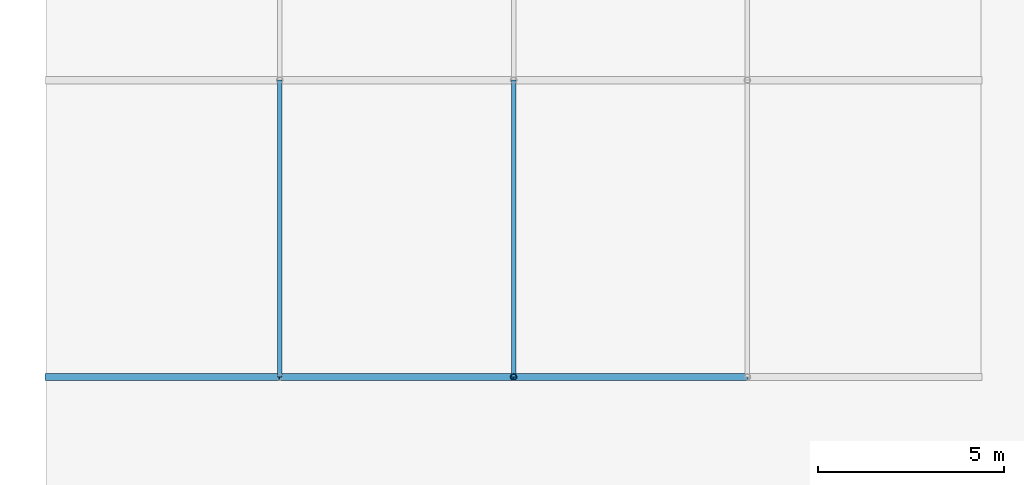
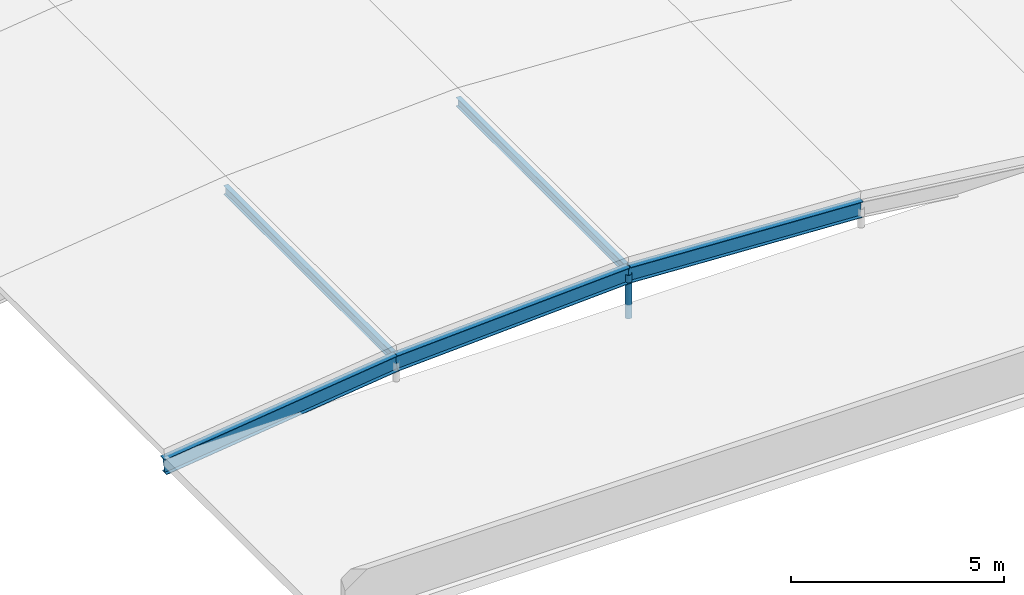
# One storey, part 24 of 76: 6 members.
"""IFC4 building model written with IfcOpenShell, lengths in metres."""

import ifcopenshell
import ifcopenshell.guid

model = None  # the IFC model being written
_history = None  # IfcOwnerHistory: only IFC2X3 demands one
_inside = {}  # id of a spatial element -> (the spatial element, [elements in it])
_under = {}  # id of a project, library or spatial element -> (it, [spatial elements below it])
_declared = {}  # id of a project -> (the project, [libraries it declares])
_typed = {}  # id of a type object -> (the type object, [elements of that type])
_made_of = {}  # id of a material, layer set ... -> (it, [elements and type objects made of it])


def new_model(schema):
    """Start an empty IFC model of exactly this schema.

    Asked for "IFC4X3", IfcOpenShell would pick the latest addendum, in which some entities
    have other attributes; the version numbers below select the first issue.
    IFC2X3 requires an IfcOwnerHistory on every rooted entity: one is made here for all.
    """
    global model, _history
    if schema == "IFC4X3":
        model = ifcopenshell.file(schema_version=(4, 3, 0, 0))
    else:
        model = ifcopenshell.file(schema=schema)
    _inside.clear()
    _under.clear()
    _declared.clear()
    _typed.clear()
    _made_of.clear()
    _history = None
    if model.schema == "IFC2X3":
        org = make("IfcOrganization", Name="unknown")
        user = make(
            "IfcPersonAndOrganization",
            ThePerson=make("IfcPerson", FamilyName="unknown"),
            TheOrganization=org,
        )
        app = make(
            "IfcApplication",
            ApplicationDeveloper=org,
            Version="unknown",
            ApplicationFullName="unknown",
            ApplicationIdentifier="unknown",
        )
        _history = make(
            "IfcOwnerHistory",
            OwningUser=user,
            OwningApplication=app,
            ChangeAction="ADDED",
            CreationDate=0,
        )
    return model


def make(cls, **values):
    """One entity of the class cls with the attributes given. An attribute that is None is left unset."""
    return model.create_entity(
        cls, **{name: value for name, value in values.items() if value is not None}
    )


def rooted(cls, **values):
    """An entity with a GlobalId (a new one), such as an element, a storey or a relation."""
    return make(cls, GlobalId=ifcopenshell.guid.new(), OwnerHistory=_history, **values)


def si_unit(unit_type, name, prefix=None):
    """IfcSIUnit, for example si_unit("LENGTHUNIT", "METRE", prefix="MILLI")."""
    return make("IfcSIUnit", UnitType=unit_type, Prefix=prefix, Name=name)


def assignment(units):
    """IfcUnitAssignment: the units of a project."""
    return None if units is None else make("IfcUnitAssignment", Units=units)


def point(xyz):
    """IfcCartesianPoint."""
    return None if xyz is None else make("IfcCartesianPoint", Coordinates=xyz)


def direction(xyz):
    """IfcDirection."""
    return None if xyz is None else make("IfcDirection", DirectionRatios=xyz)


def frame(location, z_axis=None, x_axis=None):
    """IfcAxis2Placement3D, a coordinate frame: its origin and axes. An axis left out is left unset."""
    return make(
        "IfcAxis2Placement3D",
        Location=point(location),
        Axis=direction(z_axis),
        RefDirection=direction(x_axis),
    )


def frame_2d(location, x_axis=None):
    """IfcAxis2Placement2D, a coordinate frame in the plane: its origin and x axis."""
    return make(
        "IfcAxis2Placement2D", Location=point(location), RefDirection=direction(x_axis)
    )


def origin():
    """The frame at (0, 0, 0) with its axes left unset."""
    return frame((0.0, 0.0, 0.0))


def origin_2d():
    """The frame at (0, 0) in the plane with its x axis left unset."""
    return frame_2d((0.0, 0.0))


def place(relative_to, where):
    """IfcLocalPlacement: puts the frame where relative to a parent placement (None: the world)."""
    return make(
        "IfcLocalPlacement", PlacementRelTo=relative_to, RelativePlacement=where
    )


def context(
    kind, dimensions, precision=None, world=None, true_north=None, identifier=None
):
    """IfcGeometricRepresentationContext, for example the 3D "Model" context."""
    return make(
        "IfcGeometricRepresentationContext",
        ContextIdentifier=identifier,
        ContextType=kind,
        CoordinateSpaceDimension=dimensions,
        Precision=precision,
        WorldCoordinateSystem=world,
        TrueNorth=true_north,
    )


def subcontext(parent, identifier, kind, view, scale=None):
    """IfcGeometricRepresentationSubContext, for example "Body" below "Model"."""
    return make(
        "IfcGeometricRepresentationSubContext",
        ContextIdentifier=identifier,
        ContextType=kind,
        ParentContext=parent,
        TargetScale=scale,
        TargetView=view,
    )


def project(units=None, contexts=None):
    """IfcProject with its units and contexts."""
    return rooted(
        "IfcProject",
        Name="project",
        RepresentationContexts=contexts,
        UnitsInContext=assignment(units),
    )


def spatial(cls, under=None, at=None, **own):
    """A site, building, storey or space (cls), placed at a placement, below another one or the project."""
    s = rooted(cls, ObjectPlacement=at, **own)
    if under is not None:
        _under.setdefault(under.id(), (under, []))[1].append(s)
    return s


def profile(cls, at=None, kind="AREA", **sizes):
    """A parametric profile (cls). Its sizes go by their IFC names, for example OverallWidth=200.0."""
    return make(cls, ProfileType=kind, Position=at, **sizes)


def hollow_circle(**sizes):
    """IfcCircleHollowProfileDef."""
    return profile("IfcCircleHollowProfileDef", **sizes)


def i_section(**sizes):
    """IfcIShapeProfileDef."""
    return profile("IfcIShapeProfileDef", **sizes)


def extrude(swept, where, along, depth):
    """IfcExtrudedAreaSolid: the profile swept, set in the frame where, extruded along a direction by depth."""
    return make(
        "IfcExtrudedAreaSolid",
        SweptArea=swept,
        Position=where,
        ExtrudedDirection=direction(along),
        Depth=depth,
    )


def shape(context_of_items, identifier, shape_type, items):
    """IfcShapeRepresentation: the items that make up one representation, for example the "Body"."""
    return make(
        "IfcShapeRepresentation",
        ContextOfItems=context_of_items,
        RepresentationIdentifier=identifier,
        RepresentationType=shape_type,
        Items=items,
    )


def material(Name=None, Category=None):
    """IfcMaterial."""
    return make("IfcMaterial", Name=Name, Category=Category)


def material_profile(
    of_material, cross_section, Name=None, Category=None, Priority=None
):
    """IfcMaterialProfile: a cross section and its material."""
    return make(
        "IfcMaterialProfile",
        Name=Name,
        Material=of_material,
        Profile=cross_section,
        Priority=Priority,
        Category=Category,
    )


def profile_set(profiles, Name=None, composite=None):
    """IfcMaterialProfileSet."""
    return make(
        "IfcMaterialProfileSet",
        Name=Name,
        MaterialProfiles=profiles,
        CompositeProfile=composite,
    )


def made_of(thing, what):
    """Note that an element or type object is made of a material, layer set ...; save() writes the relation."""
    if what is not None:
        _made_of.setdefault(what.id(), (what, []))[1].append(thing)
    return thing


def type_object(cls, material=None, **own):
    """A type object (cls), such as IfcWallType, which elements share."""
    return made_of(rooted(cls, **own), material)


def element(
    cls,
    number,
    at=None,
    inside=None,
    cuts=None,
    type_object=None,
    material=None,
    context=None,
    identifier="Body",
    shape_type=None,
    held_by="IfcProductDefinitionShape",
    body=None,
    shapes=None,
    **own,
):
    """One element of the class cls, such as IfcWall. Its Tag is "e" and its number.

    at: its placement. inside: the storey or other place that contains it. cuts: it is an
    opening in that element (IfcRelVoidsElement). A single representation is given by context,
    identifier, shape_type and body (its items); several are given by shapes. held_by: the class
    of the entity that holds the representations. save() writes the other relations.
    """
    e = rooted(cls, Tag="e%d" % number, ObjectPlacement=at, **own)
    if body is not None:
        shapes = [shape(context, identifier, shape_type, body)]
    if shapes is not None:
        e.Representation = make(held_by, Representations=shapes)
    if inside is not None:
        _inside.setdefault(inside.id(), (inside, []))[1].append(e)
    if cuts is not None:
        rooted(
            "IfcRelVoidsElement", RelatingBuildingElement=cuts, RelatedOpeningElement=e
        )
    if type_object is not None:
        _typed.setdefault(type_object.id(), (type_object, []))[1].append(e)
    return made_of(e, material)


def aggregate(whole, parts):
    """IfcRelAggregates: a whole, such as a stair, and the parts it consists of."""
    return rooted("IfcRelAggregates", RelatingObject=whole, RelatedObjects=parts)


def save(model, path):
    """Write the relations noted so far, then the file.

    IfcRelAggregates (storeys below a building ...), IfcRelContainedInSpatialStructure (elements
    in a storey), IfcRelDefinesByType, IfcRelAssociatesMaterial and IfcRelDeclares: one each for
    every whole, place, type object, material and project.
    """
    for whole, parts in _under.values():
        aggregate(whole, parts)
    for where, things in _inside.values():
        rooted(
            "IfcRelContainedInSpatialStructure",
            RelatedElements=things,
            RelatingStructure=where,
        )
    for kind, things in _typed.values():
        rooted("IfcRelDefinesByType", RelatedObjects=things, RelatingType=kind)
    for what, things in _made_of.values():
        rooted("IfcRelAssociatesMaterial", RelatedObjects=things, RelatingMaterial=what)
    for by, libraries in _declared.values():
        rooted("IfcRelDeclares", RelatingContext=by, RelatedDefinitions=libraries)
    model.write(path)


model = new_model("IFC4")

# Units and contexts
model_context = context("Model", 3, precision=1e-05, world=origin(), true_north=direction((0.0, 1.0)))
body_context = subcontext(model_context, "Body", "Model", "MODEL_VIEW")
ifc_project = project(units=[si_unit("LENGTHUNIT", "METRE"), si_unit("AREAUNIT", "SQUARE_METRE"), si_unit("VOLUMEUNIT", "CUBIC_METRE"), si_unit("PLANEANGLEUNIT", "RADIAN"), si_unit("MASSUNIT", "GRAM", prefix="KILO")], contexts=[model_context])

# Site, building, storey
site_placement = place(None, origin())
site = spatial("IfcSite", under=ifc_project, at=site_placement, CompositionType="ELEMENT")
building_placement = place(site_placement, origin())
building = spatial("IfcBuilding", under=site, at=building_placement, Name="Naruveol Harbour Congress Hotel", CompositionType="ELEMENT")
storey_placement = place(building_placement, frame((0.0, 0.0, 11.39990234375)))
storey = spatial("IfcBuildingStorey", under=building, at=storey_placement, Name="L02", CompositionType="ELEMENT", Elevation=11.39990234375)

# Members
ifc_material_1 = material(Name="Steel SN490", Category="steel")
ifc_material_profile_1 = material_profile(ifc_material_1, i_section(OverallWidth=0.199951171875, OverallDepth=0.449951171875, WebThickness=0.009033203125, FlangeThickness=0.013916015625, at=origin_2d()), Name="H-450x200x9x14")
ifc_profile_set_1 = profile_set([ifc_material_profile_1], Name="Steel SN490")
member_type_1 = type_object("IfcMemberType", Name="STEEL BUTTERFLY CROWN RAFTER H450", PredefinedType="RAFTER", material=ifc_profile_set_1)
member_1_placement = place(storey_placement, frame((0.0, 72.0, -0.239990234375), z_axis=(0.992613260551, 0.0, 0.121321535508), x_axis=(0.0, 1.0, 0.0)))
element("IfcMember", 1, at=member_1_placement, inside=storey, type_object=member_type_1, Name="Spa vault arch rib #1.1", PredefinedType="RAFTER", context=body_context, shape_type="SweptSolid", body=[
    extrude(i_section(OverallWidth=0.199951171875, OverallDepth=0.449951171875, WebThickness=0.009033203125, FlangeThickness=0.013916015625, at=origin_2d()), origin(), (0.0, 0.0, 1.0), 6.346923828125),
])
member_2_placement = place(storey_placement, frame((6.300048828125, 72.0, 0.530029296875), z_axis=(0.998711964154, 0.0, 0.050738670219), x_axis=(0.0, 1.0, 0.0)))
element("IfcMember", 2, at=member_2_placement, inside=storey, type_object=member_type_1, Name="Spa vault arch rib #1.2", PredefinedType="RAFTER", context=body_context, shape_type="SweptSolid", body=[
    extrude(i_section(OverallWidth=0.199951171875, OverallDepth=0.449951171875, WebThickness=0.009033203125, FlangeThickness=0.013916015625, at=origin_2d()), origin(), (0.0, 0.0, 1.0), 6.30810546875),
])
member_3_placement = place(storey_placement, frame((12.60009765625, 72.0, 0.85009765625), z_axis=(0.998711864513, 0.0, -0.050740631467), x_axis=(0.0, 1.0, 0.0)))
element("IfcMember", 3, at=member_3_placement, inside=storey, type_object=member_type_1, Name="Spa vault arch rib #1.3", PredefinedType="RAFTER", context=body_context, shape_type="SweptSolid", body=[
    extrude(i_section(OverallWidth=0.199951171875, OverallDepth=0.449951171875, WebThickness=0.009033203125, FlangeThickness=0.013916015625, at=origin_2d()), origin(), (0.0, 0.0, 1.0), 6.307861328125),
])
ifc_material_2 = material(Name="Steel SN490", Category="steel")
ifc_material_profile_2 = material_profile(ifc_material_2, hollow_circle(Radius=0.084228515625, WallThickness=0.008056640625, at=origin_2d()), Name="CHS-168.3x8")
ifc_profile_set_2 = profile_set([ifc_material_profile_2], Name="Steel SN490")
member_type_2 = type_object("IfcMemberType", Name="STEEL GABLE TRUSS WEB BRACE CHS168", PredefinedType="BRACE", material=ifc_profile_set_2)
member_4_placement = place(storey_placement, frame((12.60009765625, 72.0, -0.39990234375), z_axis=(0.0, 0.0, 1.0), x_axis=(1.0, 0.0, 0.0)))
element("IfcMember", 4, at=member_4_placement, inside=storey, type_object=member_type_2, Name="Spa vault crown web post #1", PredefinedType="BRACE", context=body_context, shape_type="SweptSolid", body=[
    extrude(hollow_circle(Radius=0.084228515625, WallThickness=0.008056640625, at=origin_2d()), origin(), (0.0, 0.0, 1.0), 1.25),
])
ifc_material_3 = material(Name="Steel SN490", Category="steel")
ifc_material_profile_3 = material_profile(ifc_material_3, i_section(OverallWidth=0.125, OverallDepth=0.25, WebThickness=0.006103515625, FlangeThickness=0.009033203125, at=origin_2d()), Name="H-250x125x6x9")
ifc_profile_set_3 = profile_set([ifc_material_profile_3], Name="Steel SN490")
member_type_3 = type_object("IfcMemberType", Name="STEEL ROOF PURLIN MEMBER H250", PredefinedType="PURLIN", material=ifc_profile_set_3)
for number, where, z_axis, x_axis, name in (
    (5, (6.300048828125, 72.0, 0.6201171875), (0.0, 1.0, 0.0), (-1.0, 0.0, 0.0), "Spa barrel vault purlin X=6.3"),
    (6, (12.60009765625, 72.0, 0.940185546875), (0.0, 1.0, 0.0), (-1.0, 0.0, 0.0), "Spa barrel vault purlin X=12.6"),
):
    element("IfcMember", number, at=place(storey_placement, frame(where, z_axis=z_axis, x_axis=x_axis)), inside=storey, type_object=member_type_3, Name=name, PredefinedType="PURLIN", context=body_context, shape_type="SweptSolid", body=[
        extrude(i_section(OverallWidth=0.125, OverallDepth=0.25, WebThickness=0.006103515625, FlangeThickness=0.009033203125, at=origin_2d()), origin(), (0.0, 0.0, 1.0), 8.0),
    ])

save(model, "model.ifc")
